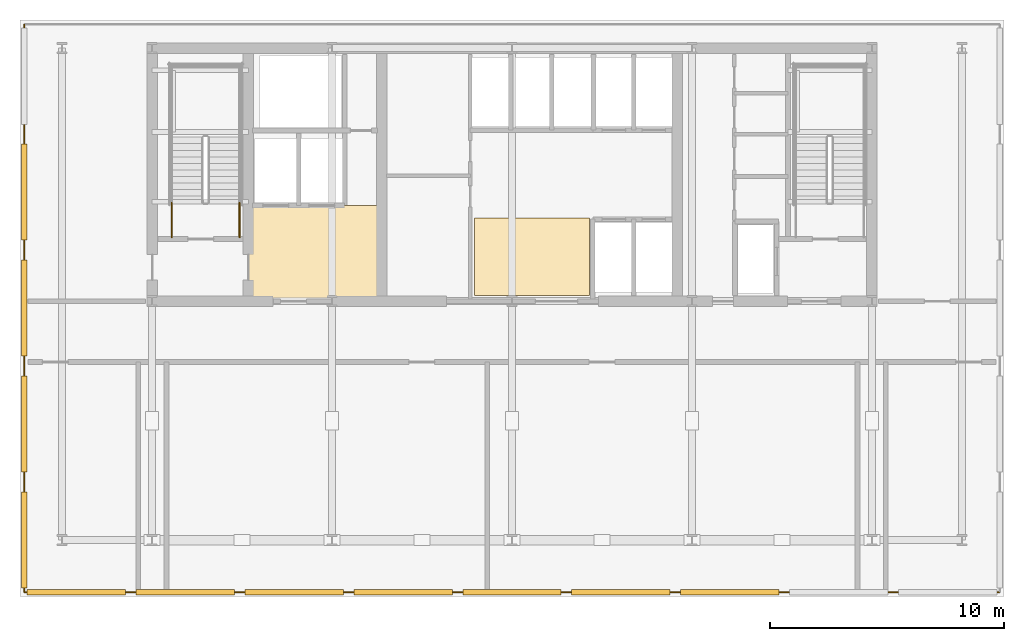
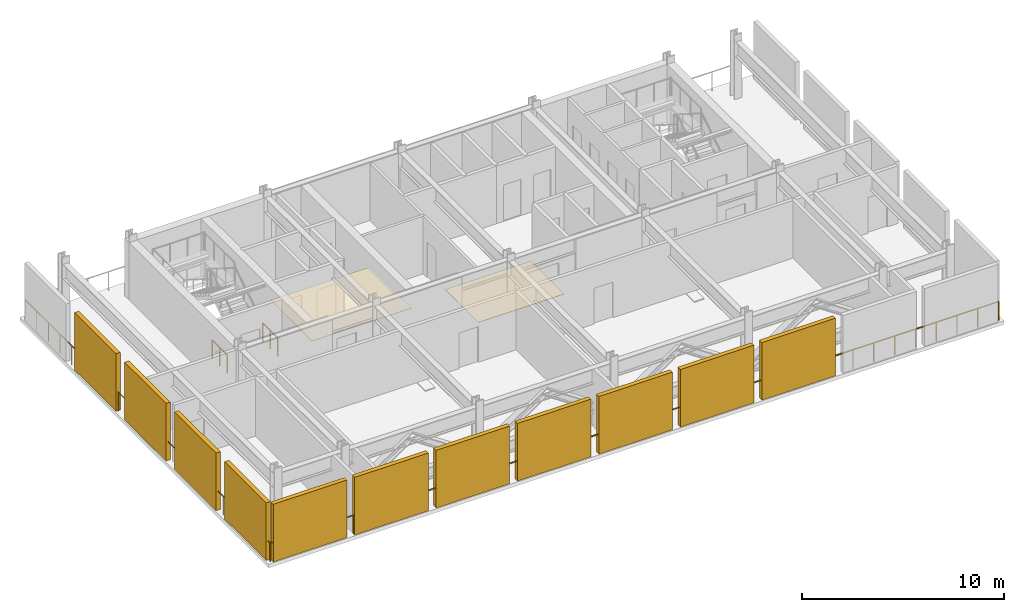
# One storey, part 4 of 7: 11 shading devices, 4 railings, 2 coverings.
"""IFC4 building model written with IfcOpenShell, lengths in metres."""

from ifc_helpers import new_model, si_unit, direction, frame, origin, origin_2d, place, context, subcontext, project, spatial, polyline, rectangle, circle, outline, extrude, material, layer, layer_set, type_object, element, save


model = new_model("IFC4")

# Units and contexts
model_context = context("Model", 3, precision=1e-05, world=origin(), true_north=direction((0.0, 1.0)))
body_context = subcontext(model_context, "Body", "Model", "MODEL_VIEW")
ifc_project = project(units=[si_unit("LENGTHUNIT", "METRE"), si_unit("AREAUNIT", "SQUARE_METRE"), si_unit("VOLUMEUNIT", "CUBIC_METRE"), si_unit("PLANEANGLEUNIT", "RADIAN"), si_unit("MASSUNIT", "GRAM", prefix="KILO")], contexts=[model_context])

# Site, building, storey
site_placement = place(None, origin())
site = spatial("IfcSite", under=ifc_project, at=site_placement, CompositionType="ELEMENT")
building_placement = place(site_placement, origin())
building = spatial("IfcBuilding", under=site, at=building_placement, Name="Yelkora Congress Tower", CompositionType="ELEMENT")
storey_placement = place(building_placement, frame((0.0, 0.0, 141.199951171875)))
storey = spatial("IfcBuildingStorey", under=building, at=storey_placement, Name="L38", CompositionType="ELEMENT", Elevation=141.199951171875)

# Coverings
ifc_material_1 = material(Name="Perforated mineral-fibre acoustic ceiling", Category="gypsum")
ifc_layer_1 = layer(ifc_material_1, 0.0400390625)
ifc_layer_set_1 = layer_set([ifc_layer_1], Name="Perforated mineral-fibre acoustic ceiling")
covering_type_1 = type_object("IfcCoveringType", Name="COV-CEIL-ACOUSTIC-40", PredefinedType="CEILING", material=ifc_layer_set_1)
covering_1_placement = place(storey_placement, frame((0.0, 0.0, 2.400146484375)))
element("IfcCovering", 1, at=covering_1_placement, inside=storey, type_object=covering_type_1, Name="L38 Firefighting Lobby Acoustic Ceiling", PredefinedType="CEILING", context=body_context, shape_type="SweptSolid", body=[
    extrude(outline(polyline([(27.14990234375, 35.39990234375), (32.85009765625, 35.39990234375), (32.85009765625, 39.47998046875), (27.14990234375, 39.47998046875), (27.14990234375, 35.39990234375)])), origin(), (0.0, 0.0, 1.0), 0.039794921875),
])
ifc_material_2 = material(Name="Polished Anatolian grey granite tile", Category="masonry")
ifc_layer_2 = layer(ifc_material_2, 0.02001953125)
ifc_layer_set_2 = layer_set([ifc_layer_2], Name="Polished Anatolian grey granite tile")
covering_type_2 = type_object("IfcCoveringType", Name="COV-FLOOR-GRANITE-20", PredefinedType="FLOORING", material=ifc_layer_set_2)
covering_2_placement = place(storey_placement, origin())
element("IfcCovering", 2, at=covering_2_placement, inside=storey, type_object=covering_type_2, Name="L38 Lift Lobby Granite Flooring", PredefinedType="FLOORING", context=body_context, shape_type="SweptSolid", body=[
    extrude(outline(polyline([(36.800048828125, 35.64990234375), (41.699951171875, 35.64990234375), (41.699951171875, 38.949951171875), (36.800048828125, 38.949951171875), (36.800048828125, 35.64990234375)])), origin(), (0.0, 0.0, 1.0), 0.02001953125),
])

# Railings
ifc_material_3 = material(Name="Stainless steel 316L and laminated glass infill", Category="steel")
ifc_layer_3 = layer(ifc_material_3, 0.080078125)
ifc_layer_set_3 = layer_set([ifc_layer_3], Name="Stainless steel 316L and laminated glass infill")
railing_type_1 = type_object("IfcRailingType", Name="RAIL-EXT-GUARD-1150", PredefinedType="GUARDRAIL", material=ifc_layer_set_3)
railing_1_placement = place(storey_placement, frame((17.580078125, 23.0, 0.0)))
element("IfcRailing", 3, at=railing_1_placement, inside=storey, type_object=railing_type_1, Name="L38 Wind-Floor Perimeter Guardrail W", PredefinedType="GUARDRAIL", context=body_context, shape_type="SweptSolid", body=[
    extrude(circle(Radius=0.02392578125, at=origin_2d()), frame((0.0, 0.0, 1.1259765625), z_axis=(0.0, 1.0, 0.0), x_axis=(-1.0, 0.0, 0.0)), (0.0, 0.0, 1.0), 24.199951171875),
    extrude(circle(Radius=0.02099609375, at=origin_2d()), origin(), (0.0, 0.0, 1.0), 1.101806640625),
    extrude(circle(Radius=0.02099609375, at=origin_2d()), frame((0.0, 1.15234375, 0.0)), (0.0, 0.0, 1.0), 1.101806640625),
    extrude(circle(Radius=0.02099609375, at=origin_2d()), frame((0.0, 2.3046875, 0.0)), (0.0, 0.0, 1.0), 1.101806640625),
    extrude(circle(Radius=0.02099609375, at=origin_2d()), frame((0.0, 3.45703125, 0.0)), (0.0, 0.0, 1.0), 1.101806640625),
    extrude(circle(Radius=0.02099609375, at=origin_2d()), frame((0.0, 4.609619140625, 0.0)), (0.0, 0.0, 1.0), 1.101806640625),
    extrude(circle(Radius=0.02099609375, at=origin_2d()), frame((0.0, 5.761962890625, 0.0)), (0.0, 0.0, 1.0), 1.101806640625),
    extrude(circle(Radius=0.02099609375, at=origin_2d()), frame((0.0, 6.914306640625, 0.0)), (0.0, 0.0, 1.0), 1.101806640625),
    extrude(circle(Radius=0.02099609375, at=origin_2d()), frame((0.0, 8.066650390625, 0.0)), (0.0, 0.0, 1.0), 1.101806640625),
    extrude(circle(Radius=0.02099609375, at=origin_2d()), frame((0.0, 9.218994140625, 0.0)), (0.0, 0.0, 1.0), 1.101806640625),
    extrude(circle(Radius=0.02099609375, at=origin_2d()), frame((0.0, 10.371337890625, 0.0)), (0.0, 0.0, 1.0), 1.101806640625),
    extrude(circle(Radius=0.02099609375, at=origin_2d()), frame((0.0, 11.523681640625, 0.0)), (0.0, 0.0, 1.0), 1.101806640625),
    extrude(circle(Radius=0.02099609375, at=origin_2d()), frame((0.0, 12.67626953125, 0.0)), (0.0, 0.0, 1.0), 1.101806640625),
    extrude(circle(Radius=0.02099609375, at=origin_2d()), frame((0.0, 13.82861328125, 0.0)), (0.0, 0.0, 1.0), 1.101806640625),
    extrude(circle(Radius=0.02099609375, at=origin_2d()), frame((0.0, 14.98095703125, 0.0)), (0.0, 0.0, 1.0), 1.101806640625),
    extrude(circle(Radius=0.02099609375, at=origin_2d()), frame((0.0, 16.13330078125, 0.0)), (0.0, 0.0, 1.0), 1.101806640625),
    extrude(circle(Radius=0.02099609375, at=origin_2d()), frame((0.0, 17.28564453125, 0.0)), (0.0, 0.0, 1.0), 1.101806640625),
    extrude(circle(Radius=0.02099609375, at=origin_2d()), frame((0.0, 18.43798828125, 0.0)), (0.0, 0.0, 1.0), 1.101806640625),
    extrude(circle(Radius=0.02099609375, at=origin_2d()), frame((0.0, 19.59033203125, 0.0)), (0.0, 0.0, 1.0), 1.101806640625),
    extrude(circle(Radius=0.02099609375, at=origin_2d()), frame((0.0, 20.742919921875, 0.0)), (0.0, 0.0, 1.0), 1.101806640625),
    extrude(circle(Radius=0.02099609375, at=origin_2d()), frame((0.0, 21.895263671875, 0.0)), (0.0, 0.0, 1.0), 1.101806640625),
    extrude(circle(Radius=0.02099609375, at=origin_2d()), frame((0.0, 23.047607421875, 0.0)), (0.0, 0.0, 1.0), 1.101806640625),
    extrude(circle(Radius=0.02099609375, at=origin_2d()), frame((0.0, 24.199951171875, 0.0)), (0.0, 0.0, 1.0), 1.101806640625),
])
railing_2_placement = place(storey_placement, frame((17.60009765625, 22.97998046875, 0.0)))
element("IfcRailing", 4, at=railing_2_placement, inside=storey, type_object=railing_type_1, Name="L38 Wind-Floor South Guardrail", PredefinedType="GUARDRAIL", context=body_context, shape_type="SweptSolid", body=[
    extrude(circle(Radius=0.02392578125, at=origin_2d()), frame((0.0, 0.0, 1.1259765625), z_axis=(1.0, 0.0, 0.0), x_axis=(0.0, 1.0, 0.0)), (0.0, 0.0, 1.0), 41.599853515625),
    extrude(circle(Radius=0.02099609375, at=origin_2d()), origin(), (0.0, 0.0, 1.0), 1.101806640625),
    extrude(circle(Radius=0.02099609375, at=origin_2d()), frame((1.1884765625, 0.0, 0.0)), (0.0, 0.0, 1.0), 1.101806640625),
    extrude(circle(Radius=0.02099609375, at=origin_2d()), frame((2.377197265625, 0.0, 0.0)), (0.0, 0.0, 1.0), 1.101806640625),
    extrude(circle(Radius=0.02099609375, at=origin_2d()), frame((3.565673828125, 0.0, 0.0)), (0.0, 0.0, 1.0), 1.101806640625),
    extrude(circle(Radius=0.02099609375, at=origin_2d()), frame((4.754150390625, 0.0, 0.0)), (0.0, 0.0, 1.0), 1.101806640625),
    extrude(circle(Radius=0.02099609375, at=origin_2d()), frame((5.94287109375, 0.0, 0.0)), (0.0, 0.0, 1.0), 1.101806640625),
    extrude(circle(Radius=0.02099609375, at=origin_2d()), frame((7.13134765625, 0.0, 0.0)), (0.0, 0.0, 1.0), 1.101806640625),
    extrude(circle(Radius=0.02099609375, at=origin_2d()), frame((8.320068359375, 0.0, 0.0)), (0.0, 0.0, 1.0), 1.101806640625),
    extrude(circle(Radius=0.02099609375, at=origin_2d()), frame((9.508544921875, 0.0, 0.0)), (0.0, 0.0, 1.0), 1.101806640625),
    extrude(circle(Radius=0.02099609375, at=origin_2d()), frame((10.697021484375, 0.0, 0.0)), (0.0, 0.0, 1.0), 1.101806640625),
    extrude(circle(Radius=0.02099609375, at=origin_2d()), frame((11.8857421875, 0.0, 0.0)), (0.0, 0.0, 1.0), 1.101806640625),
    extrude(circle(Radius=0.02099609375, at=origin_2d()), frame((13.07421875, 0.0, 0.0)), (0.0, 0.0, 1.0), 1.101806640625),
    extrude(circle(Radius=0.02099609375, at=origin_2d()), frame((14.2626953125, 0.0, 0.0)), (0.0, 0.0, 1.0), 1.101806640625),
    extrude(circle(Radius=0.02099609375, at=origin_2d()), frame((15.451416015625, 0.0, 0.0)), (0.0, 0.0, 1.0), 1.101806640625),
    extrude(circle(Radius=0.02099609375, at=origin_2d()), frame((16.639892578125, 0.0, 0.0)), (0.0, 0.0, 1.0), 1.101806640625),
    extrude(circle(Radius=0.02099609375, at=origin_2d()), frame((17.82861328125, 0.0, 0.0)), (0.0, 0.0, 1.0), 1.101806640625),
    extrude(circle(Radius=0.02099609375, at=origin_2d()), frame((19.01708984375, 0.0, 0.0)), (0.0, 0.0, 1.0), 1.101806640625),
    extrude(circle(Radius=0.02099609375, at=origin_2d()), frame((20.20556640625, 0.0, 0.0)), (0.0, 0.0, 1.0), 1.101806640625),
    extrude(circle(Radius=0.02099609375, at=origin_2d()), frame((21.394287109375, 0.0, 0.0)), (0.0, 0.0, 1.0), 1.101806640625),
    extrude(circle(Radius=0.02099609375, at=origin_2d()), frame((22.582763671875, 0.0, 0.0)), (0.0, 0.0, 1.0), 1.101806640625),
    extrude(circle(Radius=0.02099609375, at=origin_2d()), frame((23.771240234375, 0.0, 0.0)), (0.0, 0.0, 1.0), 1.101806640625),
    extrude(circle(Radius=0.02099609375, at=origin_2d()), frame((24.9599609375, 0.0, 0.0)), (0.0, 0.0, 1.0), 1.101806640625),
    extrude(circle(Radius=0.02099609375, at=origin_2d()), frame((26.1484375, 0.0, 0.0)), (0.0, 0.0, 1.0), 1.101806640625),
    extrude(circle(Radius=0.02099609375, at=origin_2d()), frame((27.337158203125, 0.0, 0.0)), (0.0, 0.0, 1.0), 1.101806640625),
    extrude(circle(Radius=0.02099609375, at=origin_2d()), frame((28.525634765625, 0.0, 0.0)), (0.0, 0.0, 1.0), 1.101806640625),
    extrude(circle(Radius=0.02099609375, at=origin_2d()), frame((29.714111328125, 0.0, 0.0)), (0.0, 0.0, 1.0), 1.101806640625),
    extrude(circle(Radius=0.02099609375, at=origin_2d()), frame((30.90283203125, 0.0, 0.0)), (0.0, 0.0, 1.0), 1.101806640625),
    extrude(circle(Radius=0.02099609375, at=origin_2d()), frame((32.09130859375, 0.0, 0.0)), (0.0, 0.0, 1.0), 1.101806640625),
    extrude(circle(Radius=0.02099609375, at=origin_2d()), frame((33.27978515625, 0.0, 0.0)), (0.0, 0.0, 1.0), 1.101806640625),
    extrude(circle(Radius=0.02099609375, at=origin_2d()), frame((34.468505859375, 0.0, 0.0)), (0.0, 0.0, 1.0), 1.101806640625),
    extrude(circle(Radius=0.02099609375, at=origin_2d()), frame((35.656982421875, 0.0, 0.0)), (0.0, 0.0, 1.0), 1.101806640625),
    extrude(circle(Radius=0.02099609375, at=origin_2d()), frame((36.845703125, 0.0, 0.0)), (0.0, 0.0, 1.0), 1.101806640625),
    extrude(circle(Radius=0.02099609375, at=origin_2d()), frame((38.0341796875, 0.0, 0.0)), (0.0, 0.0, 1.0), 1.101806640625),
    extrude(circle(Radius=0.02099609375, at=origin_2d()), frame((39.22265625, 0.0, 0.0)), (0.0, 0.0, 1.0), 1.101806640625),
    extrude(circle(Radius=0.02099609375, at=origin_2d()), frame((40.411376953125, 0.0, 0.0)), (0.0, 0.0, 1.0), 1.101806640625),
    extrude(circle(Radius=0.02099609375, at=origin_2d()), frame((41.599853515625, 0.0, 0.0)), (0.0, 0.0, 1.0), 1.101806640625),
])
ifc_material_4 = material(Name="Painted galvanised steel stair well guard with vertical infill", Category="steel")
ifc_layer_4 = layer(ifc_material_4, 0.06005859375)
ifc_layer_set_4 = layer_set([ifc_layer_4], Name="Painted galvanised steel stair well guard with vertical infill")
railing_type_2 = type_object("IfcRailingType", Name="RAIL-STAIR-GUARD-1120", PredefinedType="GUARDRAIL", material=ifc_layer_set_4)
for number, where, name in (
    (5, (26.77001953125, 38.1201171875, 0.0), "ST-01 L38 Stair Well Guardrail 8"),
    (6, (23.8701171875, 38.1201171875, 0.0), "ST-01 L38 Stair Well Guardrail 9"),
):
    element("IfcRailing", number, at=place(storey_placement, frame(where)), inside=storey, type_object=railing_type_2, Name=name, PredefinedType="GUARDRAIL", context=body_context, shape_type="SweptSolid", body=[
        extrude(circle(Radius=0.02392578125, at=origin_2d()), frame((0.0, 0.0, 1.09619140625), z_axis=(0.0, 1.0, 0.0), x_axis=(-1.0, 0.0, 0.0)), (0.0, 0.0, 1.0), 1.47998046875),
        extrude(circle(Radius=0.02099609375, at=origin_2d()), origin(), (0.0, 0.0, 1.0), 1.072021484375),
        extrude(circle(Radius=0.02099609375, at=origin_2d()), frame((0.0, 0.739990234375, 0.0)), (0.0, 0.0, 1.0), 1.072021484375),
        extrude(circle(Radius=0.02099609375, at=origin_2d()), frame((0.0, 1.47998046875, 0.0)), (0.0, 0.0, 1.0), 1.072021484375),
    ])

# Shading devices
ifc_material_5 = material(Name="Perforated anodised aluminium louvre", Category="aluminium")
ifc_layer_5 = layer(ifc_material_5, 3.39990234375)
ifc_layer_set_5 = layer_set([ifc_layer_5], Name="Perforated anodised aluminium louvre")
shading_device_type = type_object("IfcShadingDeviceType", Name="SHD-LOUVRE-WIND", PredefinedType="JALOUSIE", material=ifc_layer_set_5)
for number, where, z_axis, x_axis, name in (
    (7, (17.580078125, 25.199951171875, 0.0), (0.0, 0.0, 1.0), (1.0, 0.0, 0.0), "L38 Acoustic Wind-Floor Louvre Screen W1"),
    (8, (17.580078125, 30.14990234375, 0.0), (0.0, 0.0, 1.0), (1.0, 0.0, 0.0), "L38 Acoustic Wind-Floor Louvre Screen W2"),
    (9, (17.580078125, 35.10009765625, 0.0), (0.0, 0.0, 1.0), (1.0, 0.0, 0.0), "L38 Acoustic Wind-Floor Louvre Screen W3"),
    (10, (17.580078125, 40.050048828125, 0.0), (0.0, 0.0, 1.0), (1.0, 0.0, 0.0), "L38 Acoustic Wind-Floor Louvre Screen W4"),
):
    element("IfcShadingDevice", number, at=place(storey_placement, frame(where, z_axis=z_axis, x_axis=x_axis)), inside=storey, type_object=shading_device_type, Name=name, PredefinedType="JALOUSIE", context=body_context, shape_type="SweptSolid", body=[
        extrude(rectangle(XDim=0.239990234375, YDim=4.10009765625, at=origin_2d()), origin(), (0.0, 0.0, 1.0), 3.47998046875),
    ])
for number, where, z_axis, x_axis, name in (
    (11, (19.800048828125, 22.97998046875, 0.0), (0.0, 0.0, 1.0), (1.0, 0.0, 0.0), "L38 South Blow-Through Wind Louvre 1"),
    (12, (24.449951171875, 22.97998046875, 0.0), (0.0, 0.0, 1.0), (1.0, 0.0, 0.0), "L38 South Blow-Through Wind Louvre 2"),
    (13, (29.10009765625, 22.97998046875, 0.0), (0.0, 0.0, 1.0), (1.0, 0.0, 0.0), "L38 South Blow-Through Wind Louvre 3"),
    (14, (33.75, 22.97998046875, 0.0), (0.0, 0.0, 1.0), (1.0, 0.0, 0.0), "L38 South Blow-Through Wind Louvre 4"),
    (15, (38.39990234375, 22.97998046875, 0.0), (0.0, 0.0, 1.0), (1.0, 0.0, 0.0), "L38 South Blow-Through Wind Louvre 5"),
    (16, (43.050048828125, 22.97998046875, 0.0), (0.0, 0.0, 1.0), (1.0, 0.0, 0.0), "L38 South Blow-Through Wind Louvre 6"),
    (17, (47.699951171875, 22.97998046875, 0.0), (0.0, 0.0, 1.0), (1.0, 0.0, 0.0), "L38 South Blow-Through Wind Louvre 7"),
):
    element("IfcShadingDevice", number, at=place(storey_placement, frame(where, z_axis=z_axis, x_axis=x_axis)), inside=storey, type_object=shading_device_type, Name=name, PredefinedType="JALOUSIE", context=body_context, shape_type="SweptSolid", body=[
        extrude(rectangle(XDim=4.199951171875, YDim=0.239990234375, at=origin_2d()), origin(), (0.0, 0.0, 1.0), 3.47998046875),
    ])

save(model, "model.ifc")
